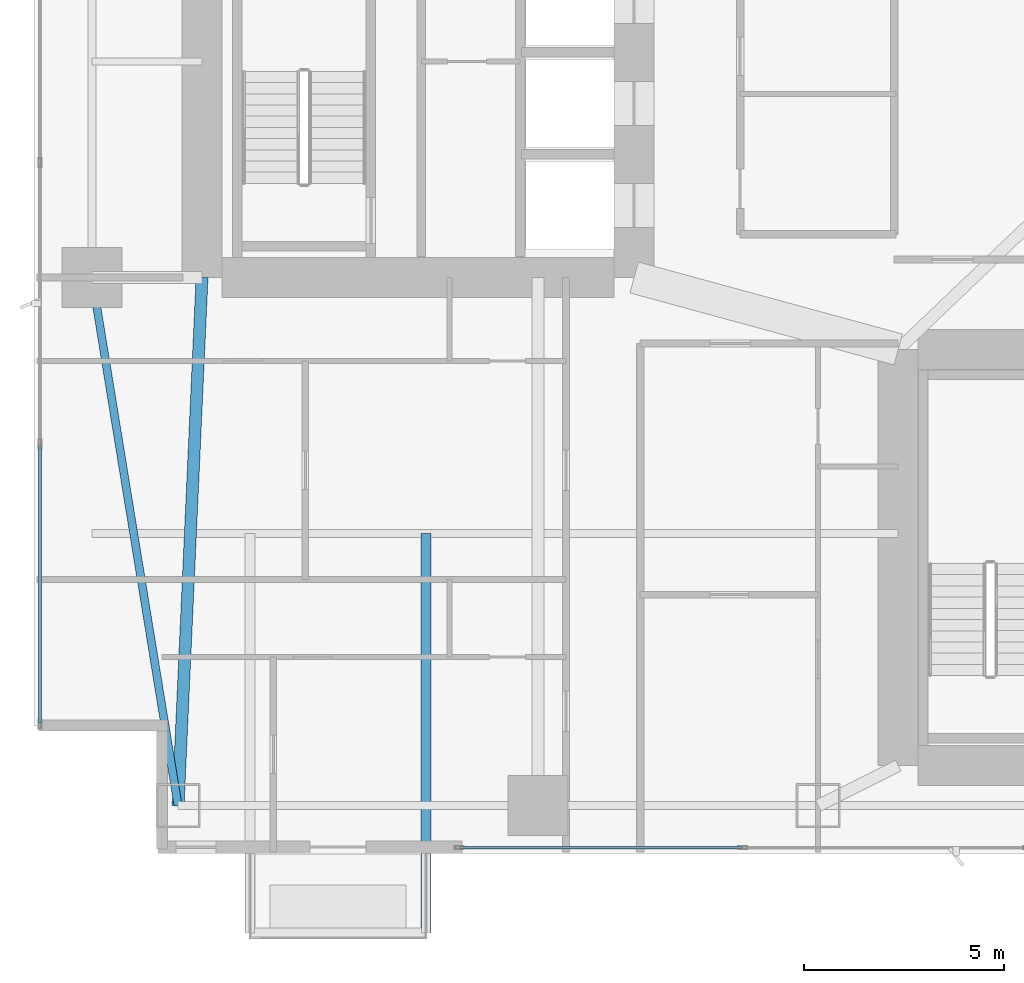
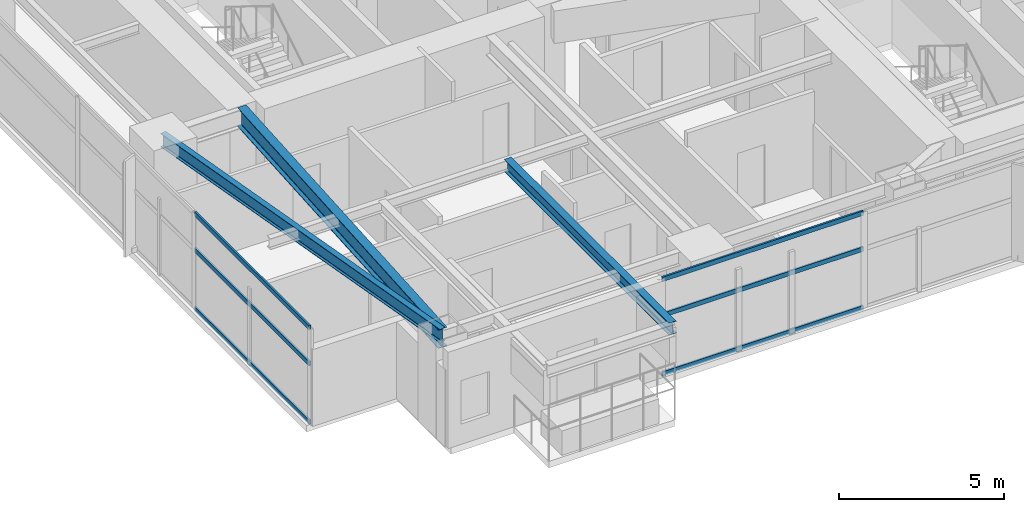
# One storey, part 3 of 29: 6 members, 3 beams, 2 elements without a shape of their own.
"""IFC4 building model written with IfcOpenShell, lengths in metres."""

from ifc_helpers import new_model, si_unit, direction, frame, origin, origin_2d, place, context, subcontext, project, spatial, hollow_rectangle, i_section, extrude, material, layer, layer_set, material_profile, profile_set, type_object, element, aggregate, save


model = new_model("IFC4")

# Units and contexts
model_context = context("Model", 3, precision=1e-05, world=origin(), true_north=direction((0.0, 1.0)))
body_context = subcontext(model_context, "Body", "Model", "MODEL_VIEW")
ifc_project = project(units=[si_unit("LENGTHUNIT", "METRE"), si_unit("AREAUNIT", "SQUARE_METRE"), si_unit("VOLUMEUNIT", "CUBIC_METRE"), si_unit("PLANEANGLEUNIT", "RADIAN"), si_unit("MASSUNIT", "GRAM", prefix="KILO")], contexts=[model_context])

# Site, building, storey
site_placement = place(None, origin())
site = spatial("IfcSite", under=ifc_project, at=site_placement, CompositionType="ELEMENT")
building_placement = place(site_placement, origin())
building = spatial("IfcBuilding", under=site, at=building_placement, Name="Calvorn Quay Hotel", CompositionType="ELEMENT")
storey_placement = place(building_placement, frame((0.0, 0.0, 69.800048828125)))
storey = spatial("IfcBuildingStorey", under=building, at=storey_placement, Name="L16", CompositionType="ELEMENT", Elevation=69.800048828125)

# Beams
ifc_material_1 = material(Name="Steel Q355B", Category="steel")
ifc_material_profile_1 = material_profile(ifc_material_1, i_section(OverallWidth=0.25, OverallDepth=0.449951171875, WebThickness=0.011962890625, FlangeThickness=0.01611328125, FilletRadius=0.01611328125, at=origin_2d()), Name="HN450x250x12x16")
ifc_profile_set_1 = profile_set([ifc_material_profile_1], Name="Steel Q355B")
beam_type_1 = type_object("IfcBeamType", Name="BM-CANT-BALC", PredefinedType="BEAM", material=ifc_profile_set_1)
beam_1_placement = place(storey_placement, frame((9.800048828125, 10.39990234375, 3.31494140625), z_axis=(0.0, -1.0, 0.0), x_axis=(1.0, 0.0, 0.0)))
element("IfcBeam", 1, at=beam_1_placement, inside=storey, type_object=beam_type_1, Name="Cantilever Balcony Beam BCB-L17-2B", PredefinedType="BEAM", context=body_context, shape_type="SweptSolid", body=[
    extrude(i_section(OverallWidth=0.25, OverallDepth=0.449951171875, WebThickness=0.011962890625, FlangeThickness=0.01611328125, FilletRadius=0.01611328125, at=origin_2d()), origin(), (0.0, 0.0, 1.0), 9.989990234375),
])
ifc_material_2 = material(Name="Steel Q390GJC", Category="steel")
ifc_material_profile_2 = material_profile(ifc_material_2, i_section(OverallWidth=0.300048828125, OverallDepth=0.699951171875, WebThickness=0.012939453125, FlangeThickness=0.02392578125, FilletRadius=0.02392578125, at=origin_2d()), Name="HN700x300x13x24")
ifc_profile_set_2 = profile_set([ifc_material_profile_2], Name="Steel Q390GJC")
beam_type_2 = type_object("IfcBeamType", Name="BM-GIRD-MAIN", PredefinedType="BEAM", material=ifc_profile_set_2)
beam_2_placement = place(storey_placement, frame((3.60009765625, 3.60009765625, 3.18994140625), z_axis=(0.045396765494, 0.998969035397, 0.0), x_axis=(-0.998969035397, 0.045396765494, 0.0)))
element("IfcBeam", 2, at=beam_2_placement, inside=storey, type_object=beam_type_2, Name="Beam BG-L16-W0", PredefinedType="BEAM", context=body_context, shape_type="SweptSolid", body=[
    extrude(i_section(OverallWidth=0.300048828125, OverallDepth=0.699951171875, WebThickness=0.012939453125, FlangeThickness=0.02392578125, FilletRadius=0.02392578125, at=origin_2d()), origin(), (0.0, 0.0, 1.0), 13.213623046875),
])
ifc_material_3 = material(Name="Steel Q355B", Category="steel")
ifc_material_profile_3 = material_profile(ifc_material_3, i_section(OverallWidth=0.199951171875, OverallDepth=0.5, WebThickness=0.010009765625, FlangeThickness=0.01611328125, FilletRadius=0.01611328125, at=origin_2d()), Name="HN500x200x10x16")
ifc_profile_set_3 = profile_set([ifc_material_profile_3], Name="Steel Q355B")
beam_type_3 = type_object("IfcBeamType", Name="BM-SPANDREL-Z1", PredefinedType="SPANDREL", material=ifc_profile_set_3)
beam_3_placement = place(storey_placement, frame((3.60009765625, 3.60009765625, 3.2900390625), z_axis=(-0.16077155054, 0.986991645627, 0.0), x_axis=(-0.986991645627, -0.16077155054, 0.0)))
element("IfcBeam", 3, at=beam_3_placement, inside=storey, type_object=beam_type_3, Name="Beam BSP-L16-W1", PredefinedType="SPANDREL", context=body_context, shape_type="SweptSolid", body=[
    extrude(i_section(OverallWidth=0.199951171875, OverallDepth=0.5, WebThickness=0.010009765625, FlangeThickness=0.01611328125, FilletRadius=0.01611328125, at=origin_2d()), origin(), (0.0, 0.0, 1.0), 13.3740234375),
])

# Curtain wall, members
ifc_material_4 = material(Name="Pale Anodised Aluminium and Low-E Glass", Category="aluminium")
ifc_layer = layer(ifc_material_4, 0.219970703125)
ifc_layer_set = layer_set([ifc_layer], Name="CW-SYS-Z1")
curtain_wall_type = type_object("IfcCurtainWallType", Name="CW-SYS-Z1", PredefinedType="NOTDEFINED", material=ifc_layer_set)
curtain_wall_1_placement = place(storey_placement, origin())
curtain_wall_1 = element("IfcCurtainWall", 4, at=curtain_wall_1_placement, inside=storey, type_object=curtain_wall_type, Name="Tower West Curtain Wall (L16)", PredefinedType="NOTDEFINED")
ifc_material_5 = material(Name="Pale Anodised Aluminium 6063-T6", Category="aluminium")
ifc_material_profile_4 = material_profile(ifc_material_5, hollow_rectangle(XDim=0.06494140625, YDim=0.1650390625, WallThickness=0.00341796875, at=origin_2d()), Name="ALU-T165x65x3.5")
ifc_profile_set_4 = profile_set([ifc_material_profile_4], Name="Pale Anodised Aluminium 6063-T6")
member_type = type_object("IfcMemberType", Name="CW-SYS-Z1-TRN", PredefinedType="USERDEFINED", material=ifc_profile_set_4)
member_1_placement = place(storey_placement, frame((0.14990234375, 5.659912109375, 0.030029296875), z_axis=(0.0, 1.0, 0.0), x_axis=(-1.0, 0.0, 0.0)))
member_1 = element("IfcMember", 5, at=member_1_placement, type_object=member_type, Name="CW-L16-W transom 1.1", ObjectType="TRANSOM", PredefinedType="USERDEFINED", context=body_context, shape_type="SweptSolid", body=[
    extrude(hollow_rectangle(XDim=0.06494140625, YDim=0.1650390625, WallThickness=0.00341796875, at=origin_2d()), origin(), (0.0, 0.0, 1.0), 6.943359375),
])
member_2_placement = place(storey_placement, frame((0.14990234375, 5.659912109375, 2.199951171875), z_axis=(0.0, 1.0, 0.0), x_axis=(-1.0, 0.0, 0.0)))
member_2 = element("IfcMember", 6, at=member_2_placement, type_object=member_type, Name="CW-L16-W transom 1.2", ObjectType="TRANSOM", PredefinedType="USERDEFINED", context=body_context, shape_type="SweptSolid", body=[
    extrude(hollow_rectangle(XDim=0.06494140625, YDim=0.1650390625, WallThickness=0.00341796875, at=origin_2d()), origin(), (0.0, 0.0, 1.0), 6.943359375),
])
member_3_placement = place(storey_placement, frame((0.14990234375, 5.659912109375, 3.530029296875), z_axis=(0.0, 1.0, 0.0), x_axis=(-1.0, 0.0, 0.0)))
member_3 = element("IfcMember", 7, at=member_3_placement, type_object=member_type, Name="CW-L16-W transom 1.3", ObjectType="TRANSOM", PredefinedType="USERDEFINED", context=body_context, shape_type="SweptSolid", body=[
    extrude(hollow_rectangle(XDim=0.06494140625, YDim=0.1650390625, WallThickness=0.00341796875, at=origin_2d()), origin(), (0.0, 0.0, 1.0), 6.943359375),
])
aggregate(curtain_wall_1, [member_1, member_2, member_3])

curtain_wall_2_placement = place(storey_placement, origin())
curtain_wall_2 = element("IfcCurtainWall", 8, at=curtain_wall_2_placement, inside=storey, type_object=curtain_wall_type, Name="Tower South Waterfront Curtain Wall (L16)", PredefinedType="NOTDEFINED")
member_4_placement = place(storey_placement, frame((10.659912109375, 2.550048828125, 0.030029296875), z_axis=(1.0, 0.0, 0.0), x_axis=(0.0, 1.0, 0.0)))
member_4 = element("IfcMember", 9, at=member_4_placement, type_object=member_type, Name="CW-L16-S transom 1.1", ObjectType="TRANSOM", PredefinedType="USERDEFINED", context=body_context, shape_type="SweptSolid", body=[
    extrude(hollow_rectangle(XDim=0.06494140625, YDim=0.1650390625, WallThickness=0.00341796875, at=origin_2d()), origin(), (0.0, 0.0, 1.0), 7.0244140625),
])
member_5_placement = place(storey_placement, frame((10.659912109375, 2.550048828125, 2.199951171875), z_axis=(1.0, 0.0, 0.0), x_axis=(0.0, 1.0, 0.0)))
member_5 = element("IfcMember", 10, at=member_5_placement, type_object=member_type, Name="CW-L16-S transom 1.2", ObjectType="TRANSOM", PredefinedType="USERDEFINED", context=body_context, shape_type="SweptSolid", body=[
    extrude(hollow_rectangle(XDim=0.06494140625, YDim=0.1650390625, WallThickness=0.00341796875, at=origin_2d()), origin(), (0.0, 0.0, 1.0), 7.0244140625),
])
member_6_placement = place(storey_placement, frame((10.659912109375, 2.550048828125, 3.530029296875), z_axis=(1.0, 0.0, 0.0), x_axis=(0.0, 1.0, 0.0)))
member_6 = element("IfcMember", 11, at=member_6_placement, type_object=member_type, Name="CW-L16-S transom 1.3", ObjectType="TRANSOM", PredefinedType="USERDEFINED", context=body_context, shape_type="SweptSolid", body=[
    extrude(hollow_rectangle(XDim=0.06494140625, YDim=0.1650390625, WallThickness=0.00341796875, at=origin_2d()), origin(), (0.0, 0.0, 1.0), 7.0244140625),
])
aggregate(curtain_wall_2, [member_4, member_5, member_6])

save(model, "model.ifc")
